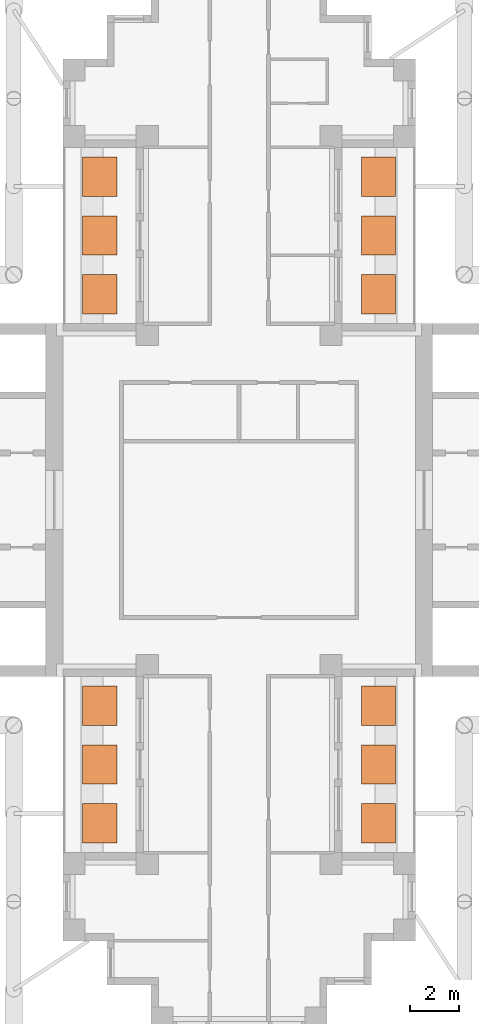
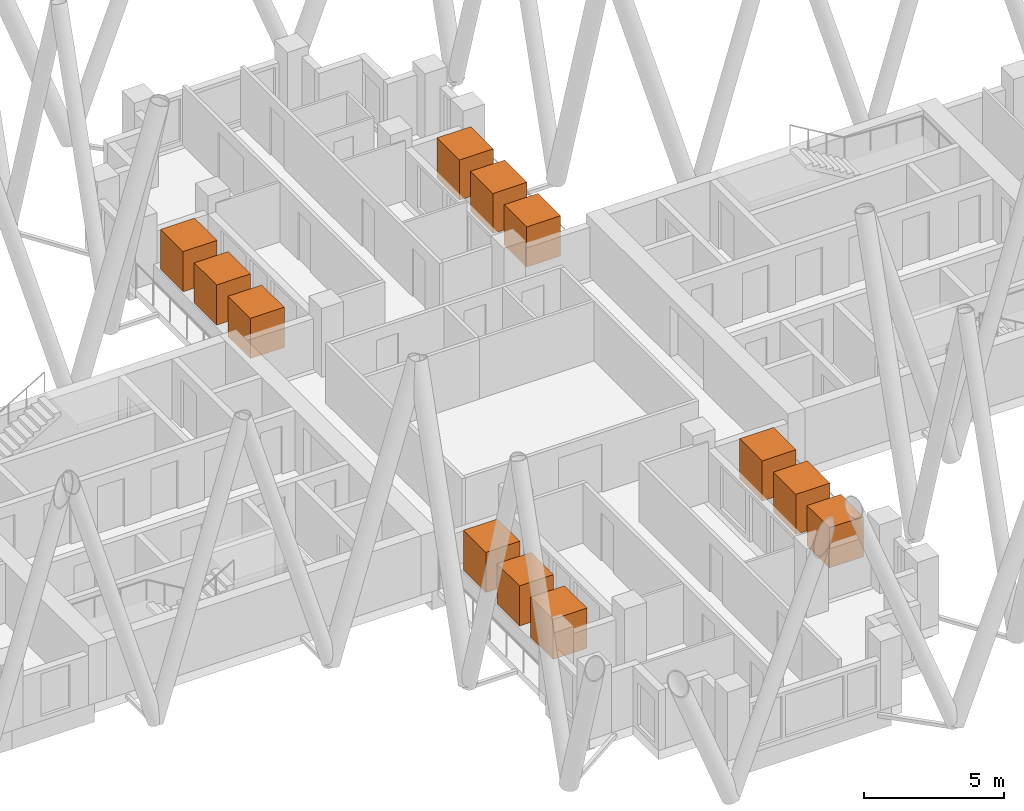
# One storey, part 12 of 12: 12 geographic elements.
"""IFC4 building model written with IfcOpenShell, lengths in metres."""

from ifc_helpers import new_model, si_unit, direction, frame, origin, origin_2d, place, context, subcontext, project, spatial, rectangle, extrude, material, element, save


model = new_model("IFC4")

# Units and contexts
model_context = context("Model", 3, precision=1e-05, world=origin(), true_north=direction((0.0, 1.0)))
body_context = subcontext(model_context, "Body", "Model", "MODEL_VIEW")
ifc_project = project(units=[si_unit("LENGTHUNIT", "METRE"), si_unit("AREAUNIT", "SQUARE_METRE"), si_unit("VOLUMEUNIT", "CUBIC_METRE"), si_unit("PLANEANGLEUNIT", "RADIAN"), si_unit("MASSUNIT", "GRAM", prefix="KILO")], contexts=[model_context])

# Site, building, storey
site_placement = place(None, origin())
site = spatial("IfcSite", under=ifc_project, at=site_placement, CompositionType="ELEMENT")
building_placement = place(site_placement, origin())
building = spatial("IfcBuilding", under=site, at=building_placement, Name="Fustian Cross Tower", CompositionType="ELEMENT")
storey_placement = place(building_placement, frame((0.0, 0.0, 141.300048828125)))
storey = spatial("IfcBuildingStorey", under=building, at=storey_placement, Name="L44", CompositionType="ELEMENT", Elevation=141.300048828125)

# Geographic elements
ifc_material = material(Name="Evergreen foliage")
for number, where, z_axis, x_axis, name in (
    (1, (5.68994140625, 8.39990234375, 0.800048828125), (0.0, 0.0, 1.0), (1.0, 0.0, 0.0), "TREE field maple"),
    (2, (5.68994140625, 10.800048828125, 0.800048828125), (0.0, 0.0, 1.0), (1.0, 0.0, 0.0), "TREE field maple"),
    (3, (5.68994140625, 13.199951171875, 0.800048828125), (0.0, 0.0, 1.0), (1.0, 0.0, 0.0), "TREE field maple"),
    (4, (-5.68994140625, 8.39990234375, 0.800048828125), (0.0, 0.0, 1.0), (1.0, 0.0, 0.0), "TREE field maple"),
    (5, (-5.68994140625, 10.800048828125, 0.800048828125), (0.0, 0.0, 1.0), (1.0, 0.0, 0.0), "TREE field maple"),
    (6, (-5.68994140625, 13.199951171875, 0.800048828125), (0.0, 0.0, 1.0), (1.0, 0.0, 0.0), "TREE field maple"),
    (7, (5.68994140625, -13.199951171875, 0.800048828125), (0.0, 0.0, 1.0), (1.0, 0.0, 0.0), "TREE field maple"),
    (8, (5.68994140625, -10.800048828125, 0.800048828125), (0.0, 0.0, 1.0), (1.0, 0.0, 0.0), "TREE field maple"),
    (9, (5.68994140625, -8.39990234375, 0.800048828125), (0.0, 0.0, 1.0), (1.0, 0.0, 0.0), "TREE field maple"),
    (10, (-5.68994140625, -13.199951171875, 0.800048828125), (0.0, 0.0, 1.0), (1.0, 0.0, 0.0), "TREE field maple"),
    (11, (-5.68994140625, -10.800048828125, 0.800048828125), (0.0, 0.0, 1.0), (1.0, 0.0, 0.0), "TREE field maple"),
    (12, (-5.68994140625, -8.39990234375, 0.800048828125), (0.0, 0.0, 1.0), (1.0, 0.0, 0.0), "TREE field maple"),
):
    element("IfcGeographicElement", number, at=place(storey_placement, frame(where, z_axis=z_axis, x_axis=x_axis)), inside=storey, material=ifc_material, Name=name, ObjectType="VEGETATION", PredefinedType="USERDEFINED", context=body_context, shape_type="SweptSolid", body=[
        extrude(rectangle(XDim=1.39990234375, YDim=1.60009765625, at=origin_2d()), origin(), (0.0, 0.0, 1.0), 1.75),
    ])

save(model, "model.ifc")
